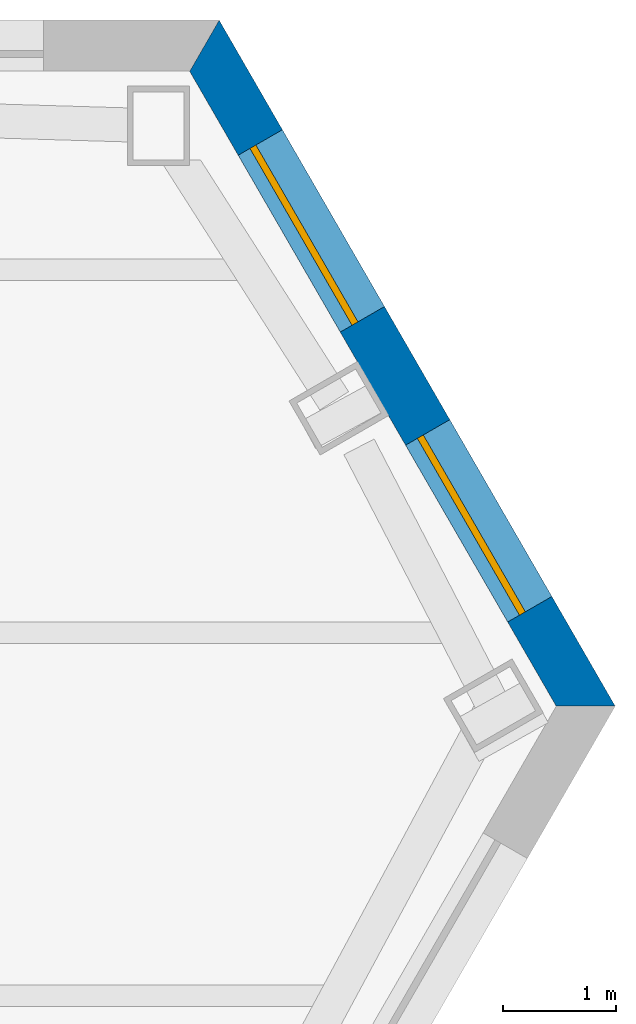
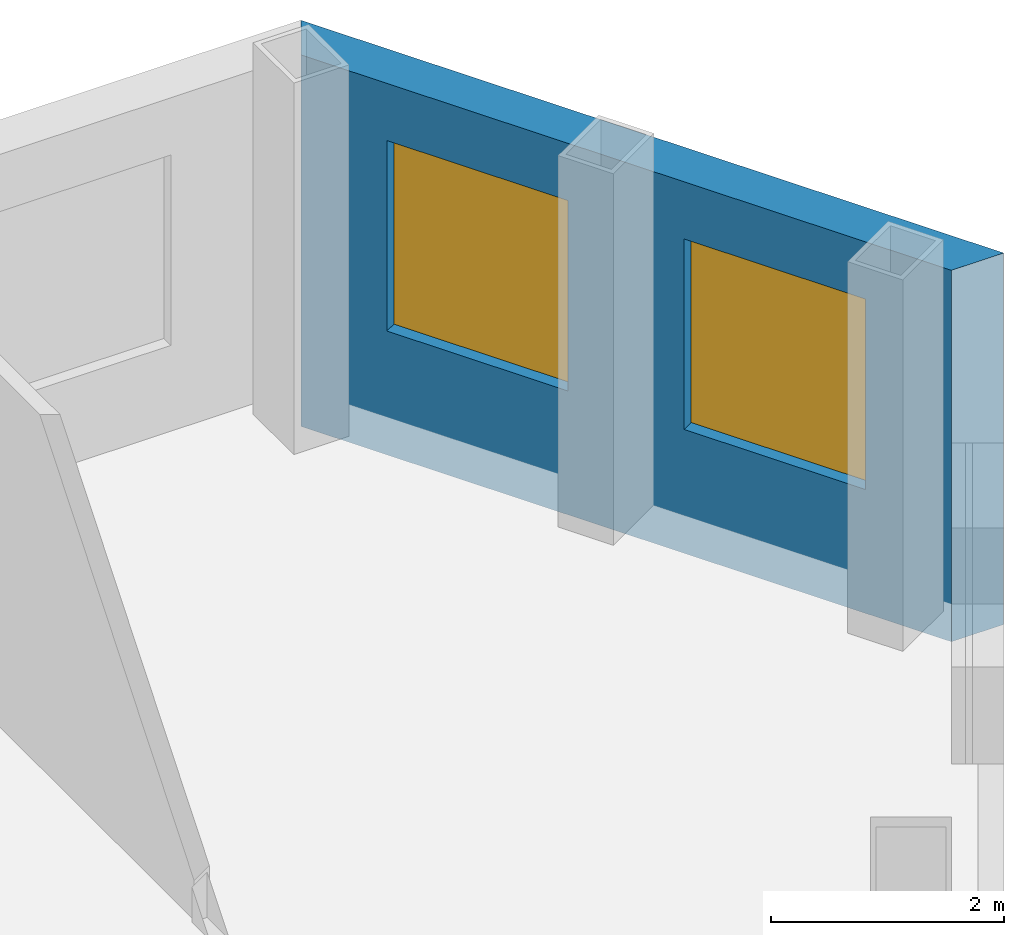
# One storey, part 8 of 11: 2 windows, 1 wall, 2 openings.
"""IFC4 building model written with IfcOpenShell, lengths in metres."""

from ifc_helpers import new_model, si_unit, direction, frame, frame_2d, origin, place, context, subcontext, project, spatial, polyline, rectangle, outline, extrude, material, layer, layer_set, type_object, element, fill, save


model = new_model("IFC4")

# Units and contexts
model_context = context("Model", 3, precision=1e-05, world=origin(), true_north=direction((0.0, 1.0)))
body_context = subcontext(model_context, "Body", "Model", "MODEL_VIEW")
ifc_project = project(units=[si_unit("LENGTHUNIT", "METRE"), si_unit("AREAUNIT", "SQUARE_METRE"), si_unit("VOLUMEUNIT", "CUBIC_METRE"), si_unit("PLANEANGLEUNIT", "RADIAN"), si_unit("MASSUNIT", "GRAM", prefix="KILO")], contexts=[model_context])

# Site, building, storey
site_placement = place(None, origin())
site = spatial("IfcSite", under=ifc_project, at=site_placement, CompositionType="ELEMENT")
building_placement = place(site_placement, origin())
building = spatial("IfcBuilding", under=site, at=building_placement, Name="Njiva Tower", CompositionType="ELEMENT")
storey_placement = place(building_placement, frame((0.0, 0.0, 216.0)))
storey = spatial("IfcBuildingStorey", under=building, at=storey_placement, Name="L48", CompositionType="ELEMENT", Elevation=216.0)

# Wall, openings, windows
ifc_material_1 = material(Name="Brick masonry, buff", Category="masonry")
ifc_layer = layer(ifc_material_1, 0.45)
ifc_layer_set = layer_set([ifc_layer], Name="Brick masonry, buff")
wall_type = type_object("IfcWallType", Name="WT94 Brick pier and spandrel wall 450, buff", PredefinedType="SOLIDWALL", material=ifc_layer_set)
wall_placement = place(storey_placement, frame((26.2314, 14.153, -0.4), z_axis=(0.0, 0.0, 1.0), x_axis=(-0.500004118585, 0.866023025905, 0.0)))
wall = element("IfcWall", 1, at=wall_placement, inside=storey, type_object=wall_type, Name="Facade wall NE", PredefinedType="SOLIDWALL", context=body_context, shape_type="SweptSolid", body=[
    extrude(outline(polyline([(-0.1299, -0.225), (6.85, -0.225), (6.5902, 0.225), (0.1299, 0.225), (-0.1299, -0.225)])), origin(), (0.0, 0.0, 1.0), 3.9),
])
opening_1_placement = place(wall_placement, frame((0.9844, 0.0, 1.3)))
opening_1 = element("IfcOpeningElement", 2, at=opening_1_placement, cuts=wall, Name="Opening S16-W31", PredefinedType="OPENING", context=body_context, shape_type="SweptSolid", body=[
    extrude(rectangle(XDim=1.8, YDim=2.0, at=frame_2d((0.9, 1.0))), frame((0.0, 0.235, 0.0), z_axis=(0.0, -1.0, 0.0), x_axis=(1.0, 0.0, 0.0)), (0.0, 0.0, 1.0), 0.47),
])
opening_2_placement = place(wall_placement, frame((3.9357, 0.0, 1.3)))
opening_2 = element("IfcOpeningElement", 3, at=opening_2_placement, cuts=wall, Name="Opening S16-W32", PredefinedType="OPENING", context=body_context, shape_type="SweptSolid", body=[
    extrude(rectangle(XDim=1.8, YDim=2.0, at=frame_2d((0.9, 1.0))), frame((0.0, 0.235, 0.0), z_axis=(0.0, -1.0, 0.0), x_axis=(1.0, 0.0, 0.0)), (0.0, 0.0, 1.0), 0.47),
])
ifc_material_2 = material(Name="Clear glazing in aluminium frame", Category="aluminium")
window_type = type_object("IfcWindowType", Name="W94 Deep-set window 1800x2000", PartitioningType="SINGLE_PANEL", PredefinedType="WINDOW", material=ifc_material_2)
window_1_placement = place(opening_1_placement, origin())
window_1 = element("IfcWindow", 4, at=window_1_placement, inside=storey, type_object=window_type, Name="Window", OverallHeight=2.0, OverallWidth=1.8, PartitioningType="SINGLE_PANEL", PredefinedType="WINDOW", context=body_context, shape_type="SweptSolid", body=[
    extrude(rectangle(XDim=1.8, YDim=2.0, at=frame_2d((0.9, 1.0))), frame((0.0, 0.105, 0.0), z_axis=(0.0, -1.0, 0.0), x_axis=(1.0, 0.0, 0.0)), (0.0, 0.0, 1.0), 0.06),
])
fill(opening_1, window_1)
window_2_placement = place(opening_2_placement, origin())
window_2 = element("IfcWindow", 5, at=window_2_placement, inside=storey, type_object=window_type, Name="Window", OverallHeight=2.0, OverallWidth=1.8, PartitioningType="SINGLE_PANEL", PredefinedType="WINDOW", context=body_context, shape_type="SweptSolid", body=[
    extrude(rectangle(XDim=1.8, YDim=2.0, at=frame_2d((0.9, 1.0))), frame((0.0, 0.105, 0.0), z_axis=(0.0, -1.0, 0.0), x_axis=(1.0, 0.0, 0.0)), (0.0, 0.0, 1.0), 0.06),
])
fill(opening_2, window_2)

save(model, "model.ifc")
